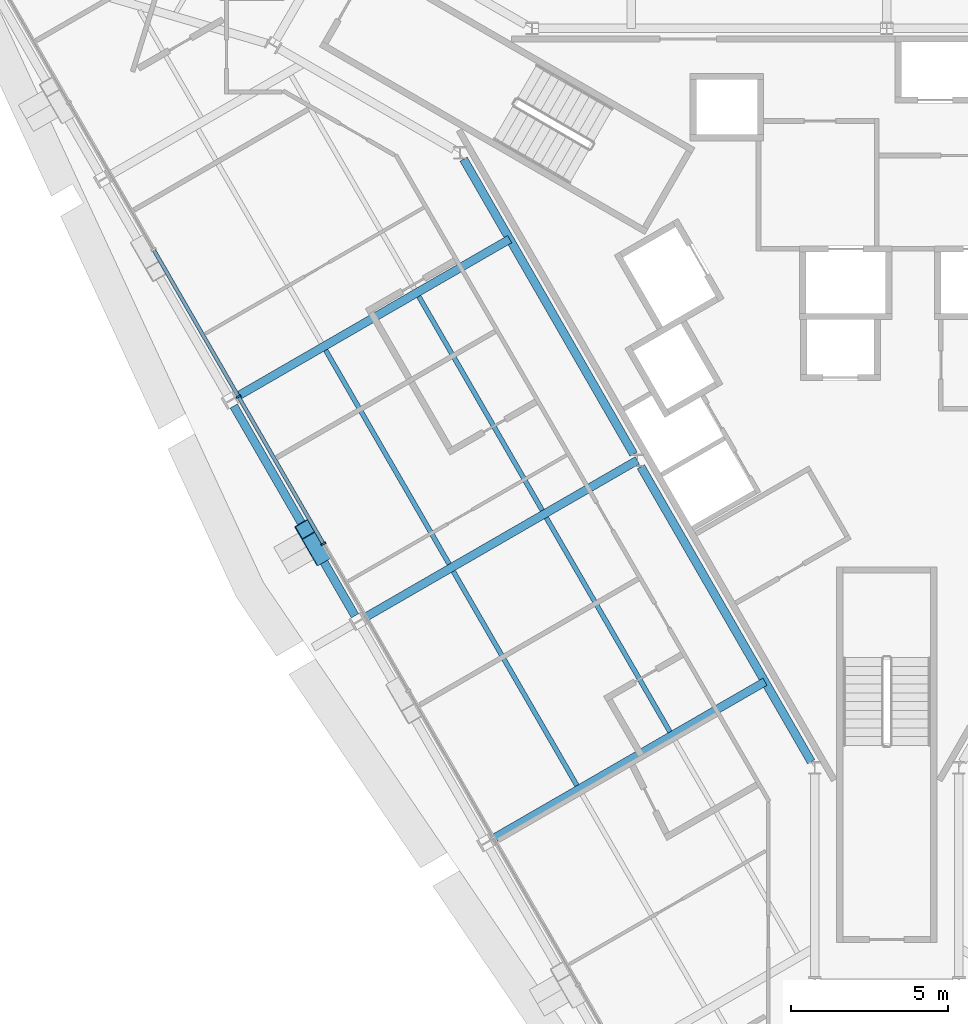
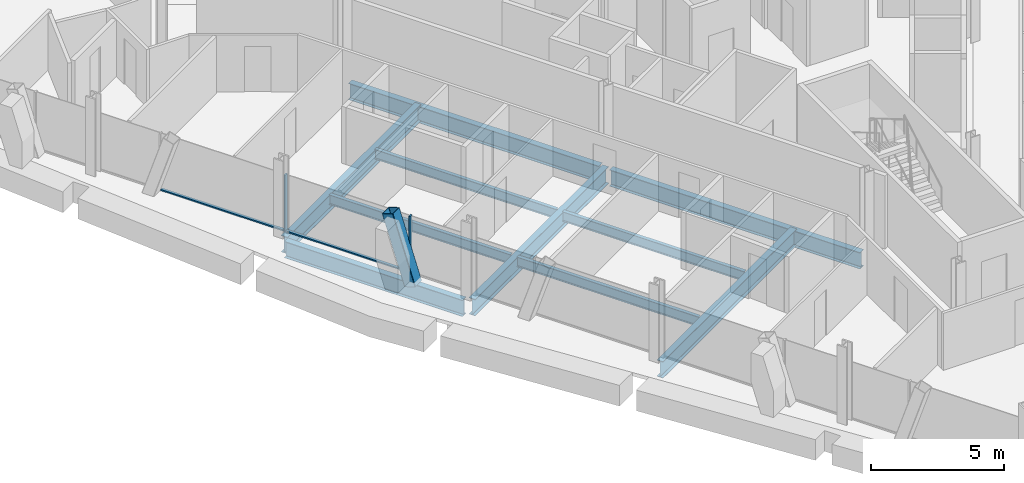
# One storey, part 4 of 19: 10 beams, 5 members, 1 element without a shape of its own.
"""IFC4 building model written with IfcOpenShell, lengths in metres."""

from ifc_helpers import new_model, si_unit, direction, frame, origin, origin_2d, place, context, subcontext, project, spatial, rectangle, hollow_rectangle, i_section, extrude, material, material_profile, profile_set, type_object, element, aggregate, save


model = new_model("IFC4")

# Units and contexts
model_context = context("Model", 3, precision=1e-05, world=origin(), true_north=direction((0.0, 1.0)))
body_context = subcontext(model_context, "Body", "Model", "MODEL_VIEW")
ifc_project = project(units=[si_unit("LENGTHUNIT", "METRE"), si_unit("AREAUNIT", "SQUARE_METRE"), si_unit("VOLUMEUNIT", "CUBIC_METRE"), si_unit("PLANEANGLEUNIT", "RADIAN"), si_unit("MASSUNIT", "GRAM", prefix="KILO")], contexts=[model_context])

# Site, building, storey
site_placement = place(None, origin())
site = spatial("IfcSite", under=ifc_project, at=site_placement, CompositionType="ELEMENT")
building_placement = place(site_placement, origin())
building = spatial("IfcBuilding", under=site, at=building_placement, Name="Verrane Prism Tower", CompositionType="ELEMENT")
storey_placement = place(building_placement, frame((0.0, 0.0, 125.199951171875)))
storey = spatial("IfcBuildingStorey", under=building, at=storey_placement, Name="L30", CompositionType="ELEMENT", Elevation=125.199951171875)

# Beams
ifc_material_1 = material(Name="Steel A992", Category="steel")
ifc_material_profile_1 = material_profile(ifc_material_1, i_section(OverallWidth=0.2666015625, OverallDepth=0.7568359375, WebThickness=0.013916015625, FlangeThickness=0.019287109375, FilletRadius=0.0166015625, at=origin_2d()), Name="W30x108")
ifc_profile_set_1 = profile_set([ifc_material_profile_1], Name="Steel A992")
beam_type_1 = type_object("IfcBeamType", Name="Core ring girder W30x108", PredefinedType="BEAM", material=ifc_profile_set_1)
beam_1_placement = place(storey_placement, frame((-13.51513671875, 5.0205078125, -0.62841796875), z_axis=(0.4993706109, -0.866388476937, 0.0), x_axis=(0.866388476937, 0.4993706109, 0.0)))
element("IfcBeam", 1, at=beam_1_placement, inside=storey, type_object=beam_type_1, Name="Core ring girder L30", PredefinedType="BEAM", context=body_context, shape_type="SweptSolid", body=[
    extrude(i_section(OverallWidth=0.2666015625, OverallDepth=0.7568359375, WebThickness=0.013916015625, FlangeThickness=0.019287109375, FilletRadius=0.0166015625, at=origin_2d()), origin(), (0.0, 0.0, 1.0), 10.8740234375),
])
beam_2_placement = place(storey_placement, frame((-7.85498046875, -4.79931640625, -0.62841796875), z_axis=(0.500034555306, -0.86600545235, 0.0), x_axis=(0.86600545235, 0.500034555306, 0.0)))
element("IfcBeam", 2, at=beam_2_placement, inside=storey, type_object=beam_type_1, Name="Core ring girder L30", PredefinedType="BEAM", context=body_context, shape_type="SweptSolid", body=[
    extrude(i_section(OverallWidth=0.2666015625, OverallDepth=0.7568359375, WebThickness=0.013916015625, FlangeThickness=0.019287109375, FilletRadius=0.0166015625, at=origin_2d()), origin(), (0.0, 0.0, 1.0), 10.879150390625),
])

# Member
ifc_material_2 = material(Name="Steel A1085 Grade A", Category="steel")
ifc_material_profile_2 = material_profile(ifc_material_2, hollow_rectangle(XDim=0.508056640625, YDim=0.508056640625, WallThickness=0.025390625, InnerFilletRadius=0.0126953125, OuterFilletRadius=0.0380859375, at=origin_2d()), Name="HSS20x20x1")
ifc_profile_set_2 = profile_set([ifc_material_profile_2], Name="Steel A1085 Grade A")
member_type_1 = type_object("IfcMemberType", Name="Facade brace HSS20x20x1", PredefinedType="BRACE", material=ifc_profile_set_2)
member_1_placement = place(storey_placement, frame((-18.093505859375, -7.639892578125, -0.242431640625), z_axis=(-0.154129040367, 0.266559843359, 0.951414782744), x_axis=(-0.865700871394, -0.500561685777, 0.0)))
element("IfcMember", 3, at=member_1_placement, inside=storey, type_object=member_type_1, Name="Facade brace SW2 L30", PredefinedType="BRACE", context=body_context, shape_type="SweptSolid", body=[
    extrude(hollow_rectangle(XDim=0.508056640625, YDim=0.508056640625, WallThickness=0.025390625, InnerFilletRadius=0.0126953125, OuterFilletRadius=0.0380859375, at=origin_2d()), origin(), (0.0, 0.0, 1.0), 3.16162109375),
])

# Beams
ifc_material_3 = material(Name="Steel A992", Category="steel")
ifc_material_profile_3 = material_profile(ifc_material_3, i_section(OverallWidth=0.15234375, OverallDepth=0.449462890625, WebThickness=0.007568359375, FlangeThickness=0.0107421875, FilletRadius=0.01025390625, at=origin_2d()), Name="W18x35")
ifc_profile_set_3 = profile_set([ifc_material_profile_3], Name="Steel A992")
beam_type_2 = type_object("IfcBeamType", Name="Floor beam W18x35", PredefinedType="BEAM", material=ifc_profile_set_3)
beam_3_placement = place(storey_placement, frame((-11.001708984375, -6.19482421875, -0.384765625), z_axis=(-0.50000639086, 0.866021713988, 0.0), x_axis=(-0.866021713988, -0.50000639086, 0.0)))
element("IfcBeam", 4, at=beam_3_placement, inside=storey, type_object=beam_type_2, Name="Floor beam L30", PredefinedType="BEAM", context=body_context, shape_type="SweptSolid", body=[
    extrude(i_section(OverallWidth=0.15234375, OverallDepth=0.449462890625, WebThickness=0.007568359375, FlangeThickness=0.0107421875, FilletRadius=0.01025390625, at=origin_2d()), origin(), (0.0, 0.0, 1.0), 7.8896484375),
])
beam_4_placement = place(storey_placement, frame((-13.9755859375, -7.910400390625, -0.384765625), z_axis=(-0.500013573458, 0.866017567003, 0.0), x_axis=(-0.866017567003, -0.500013573458, 0.0)))
element("IfcBeam", 5, at=beam_4_placement, inside=storey, type_object=beam_type_2, Name="Floor beam L30", PredefinedType="BEAM", context=body_context, shape_type="SweptSolid", body=[
    extrude(i_section(OverallWidth=0.15234375, OverallDepth=0.449462890625, WebThickness=0.007568359375, FlangeThickness=0.0107421875, FilletRadius=0.01025390625, at=origin_2d()), origin(), (0.0, 0.0, 1.0), 7.888427734375),
])
for number, where, z_axis, x_axis, name in (
    (6, (-6.92578125, -13.26708984375, -0.384765625), (-0.500013303288, 0.866017722991, 0.0), (-0.866017722991, -0.500013303288, 0.0), "Floor beam L30"),
    (7, (-9.896240234375, -14.980712890625, -0.384765625), (-0.500013303288, 0.866017722991, 0.0), (-0.866017722991, -0.500013303288, 0.0), "Floor beam L30"),
):
    element("IfcBeam", number, at=place(storey_placement, frame(where, z_axis=z_axis, x_axis=x_axis)), inside=storey, type_object=beam_type_2, Name=name, PredefinedType="BEAM", context=body_context, shape_type="SweptSolid", body=[
        extrude(i_section(OverallWidth=0.15234375, OverallDepth=0.449462890625, WebThickness=0.007568359375, FlangeThickness=0.0107421875, FilletRadius=0.01025390625, at=origin_2d()), origin(), (0.0, 0.0, 1.0), 7.895751953125),
    ])

# Curtain wall, members
ifc_material_4 = material(Name="Aluminium framed insulated glazing", Category="aluminium")
curtain_wall_type = type_object("IfcCurtainWallType", Name="Curtain wall CW-B 5600 module", PredefinedType="NOTDEFINED", material=ifc_material_4)
curtain_wall_placement = place(storey_placement, origin())
curtain_wall = element("IfcCurtainWall", 8, at=curtain_wall_placement, inside=storey, type_object=curtain_wall_type, Name="Glazed curtain wall south-west face L30", PredefinedType="NOTDEFINED")
ifc_material_5 = material(Name="Aluminium alloy 6063-T6", Category="aluminium")
ifc_material_profile_4 = material_profile(ifc_material_5, rectangle(XDim=0.159912109375, YDim=0.06005859375, at=origin_2d()), Name="Mullion 60x160 aluminium")
ifc_profile_set_4 = profile_set([ifc_material_profile_4], Name="Aluminium alloy 6063-T6")
member_type_2 = type_object("IfcMemberType", Name="Mullion 60x160 aluminium", PredefinedType="MULLION", material=ifc_profile_set_4)
member_2_placement = place(storey_placement, frame((-20.70361328125, -2.562255859375, 0.0), z_axis=(0.0, 0.0, 1.0), x_axis=(0.866025327793, 0.500000131621, 0.0)))
member_2 = element("IfcMember", 9, at=member_2_placement, type_object=member_type_2, Name="CW29.4 mullion 4", PredefinedType="MULLION", context=body_context, shape_type="SweptSolid", body=[
    extrude(rectangle(XDim=0.159912109375, YDim=0.06005859375, at=origin_2d()), origin(), (0.0, 0.0, 1.0), 2.613037109375),
])
member_3_placement = place(storey_placement, frame((-17.99267578125, -7.2578125, 0.0), z_axis=(0.0, 0.0, 1.0), x_axis=(0.866025327793, 0.500000131621, 0.0)))
member_3 = element("IfcMember", 10, at=member_3_placement, type_object=member_type_2, Name="CW29.4 mullion 5", PredefinedType="MULLION", context=body_context, shape_type="SweptSolid", body=[
    extrude(rectangle(XDim=0.159912109375, YDim=0.06005859375, at=origin_2d()), origin(), (0.0, 0.0, 1.0), 2.613037109375),
])

# Beams
ifc_material_6 = material(Name="Steel A992", Category="steel")
ifc_material_profile_5 = material_profile(ifc_material_6, i_section(OverallWidth=0.2666015625, OverallDepth=0.76708984375, WebThickness=0.014892578125, FlangeThickness=0.023681640625, FilletRadius=0.0166015625, at=origin_2d()), Name="W30x124")
ifc_profile_set_5 = profile_set([ifc_material_profile_5], Name="Steel A992")
beam_type_3 = type_object("IfcBeamType", Name="Radial girder W30x124", PredefinedType="BEAM", material=ifc_profile_set_5)
beam_5_placement = place(storey_placement, frame((-20.76318359375, -2.56640625, -0.603515625), z_axis=(0.866026084844, 0.499998820369, 0.0), x_axis=(-0.499998820369, 0.866026084844, 0.0)))
element("IfcBeam", 11, at=beam_5_placement, inside=storey, type_object=beam_type_3, Name="Radial girder L30", PredefinedType="BEAM", context=body_context, shape_type="SweptSolid", body=[
    extrude(i_section(OverallWidth=0.2666015625, OverallDepth=0.76708984375, WebThickness=0.014892578125, FlangeThickness=0.023681640625, FilletRadius=0.0166015625, at=origin_2d()), origin(), (0.0, 0.0, 1.0), 10.068359375),
])
beam_6_placement = place(storey_placement, frame((-16.68310546875, -9.626220703125, -0.603515625), z_axis=(0.866036042541, 0.49998157268, 0.0), x_axis=(-0.49998157268, 0.866036042541, 0.0)))
element("IfcBeam", 12, at=beam_6_placement, inside=storey, type_object=beam_type_3, Name="Radial girder L30", PredefinedType="BEAM", context=body_context, shape_type="SweptSolid", body=[
    extrude(i_section(OverallWidth=0.2666015625, OverallDepth=0.76708984375, WebThickness=0.014892578125, FlangeThickness=0.023681640625, FilletRadius=0.0166015625, at=origin_2d()), origin(), (0.0, 0.0, 1.0), 10.05908203125),
])
beam_7_placement = place(storey_placement, frame((-12.60302734375, -16.6962890625, -0.603515625), z_axis=(0.866030409726, 0.499991329354, 0.0), x_axis=(-0.499991329354, 0.866030409726, 0.0)))
element("IfcBeam", 13, at=beam_7_placement, inside=storey, type_object=beam_type_3, Name="Radial girder L30", PredefinedType="BEAM", context=body_context, shape_type="SweptSolid", body=[
    extrude(i_section(OverallWidth=0.2666015625, OverallDepth=0.76708984375, WebThickness=0.014892578125, FlangeThickness=0.023681640625, FilletRadius=0.0166015625, at=origin_2d()), origin(), (0.0, 0.0, 1.0), 10.060791015625),
])
ifc_material_7 = material(Name="Steel A992", Category="steel")
ifc_material_profile_6 = material_profile(ifc_material_7, i_section(OverallWidth=0.2666015625, OverallDepth=0.7568359375, WebThickness=0.013916015625, FlangeThickness=0.019287109375, FilletRadius=0.0166015625, at=origin_2d()), Name="W30x108")
ifc_profile_set_6 = profile_set([ifc_material_profile_6], Name="Steel A992")
beam_type_4 = type_object("IfcBeamType", Name="Spandrel beam W30x108", PredefinedType="SPANDREL", material=ifc_profile_set_6)
beam_8_placement = place(storey_placement, frame((-20.85498046875, -2.861328125, -0.538330078125), z_axis=(0.500334388905, -0.865832258165, 0.0), x_axis=(0.865832258165, 0.500334388905, 0.0)))
element("IfcBeam", 14, at=beam_8_placement, inside=storey, type_object=beam_type_4, Name="Spandrel beam L30", PredefinedType="SPANDREL", context=body_context, shape_type="SweptSolid", body=[
    extrude(i_section(OverallWidth=0.2666015625, OverallDepth=0.7568359375, WebThickness=0.013916015625, FlangeThickness=0.019287109375, FilletRadius=0.0166015625, at=origin_2d()), origin(), (0.0, 0.0, 1.0), 7.735107421875),
])

# Member
ifc_material_8 = material(Name="Aluminium alloy 6063-T6", Category="aluminium")
ifc_material_profile_7 = material_profile(ifc_material_8, rectangle(XDim=0.1201171875, YDim=0.06005859375, at=origin_2d()), Name="Transom 60x120 aluminium")
ifc_profile_set_7 = profile_set([ifc_material_profile_7], Name="Aluminium alloy 6063-T6")
member_type_3 = type_object("IfcMemberType", Name="Transom 60x120 aluminium", PredefinedType="USERDEFINED", material=ifc_profile_set_7)
member_4_placement = place(storey_placement, frame((-23.399658203125, 2.107177734375, 0.030029296875), z_axis=(0.500012814349, -0.86601800529, 0.0), x_axis=(0.86601800529, 0.500012814349, 0.0)))
member_4 = element("IfcMember", 15, at=member_4_placement, type_object=member_type_3, Name="CW29.4 transom 3", ObjectType="TRANSOM", PredefinedType="USERDEFINED", context=body_context, shape_type="SweptSolid", body=[
    extrude(rectangle(XDim=0.1201171875, YDim=0.06005859375, at=origin_2d()), origin(), (0.0, 0.0, 1.0), 5.361572265625),
])

member_5_placement = place(storey_placement, frame((-20.688720703125, -2.588134765625, 0.030029296875), z_axis=(0.500027246275, -0.866009672569, 0.0), x_axis=(0.866009672569, 0.500027246275, 0.0)))
member_5 = element("IfcMember", 16, at=member_5_placement, type_object=member_type_3, Name="CW29.4 transom 4", ObjectType="TRANSOM", PredefinedType="USERDEFINED", context=body_context, shape_type="SweptSolid", body=[
    extrude(rectangle(XDim=0.1201171875, YDim=0.06005859375, at=origin_2d()), origin(), (0.0, 0.0, 1.0), 5.362060546875),
])

aggregate(curtain_wall, [member_2, member_3, member_4, member_5])

save(model, "model.ifc")
